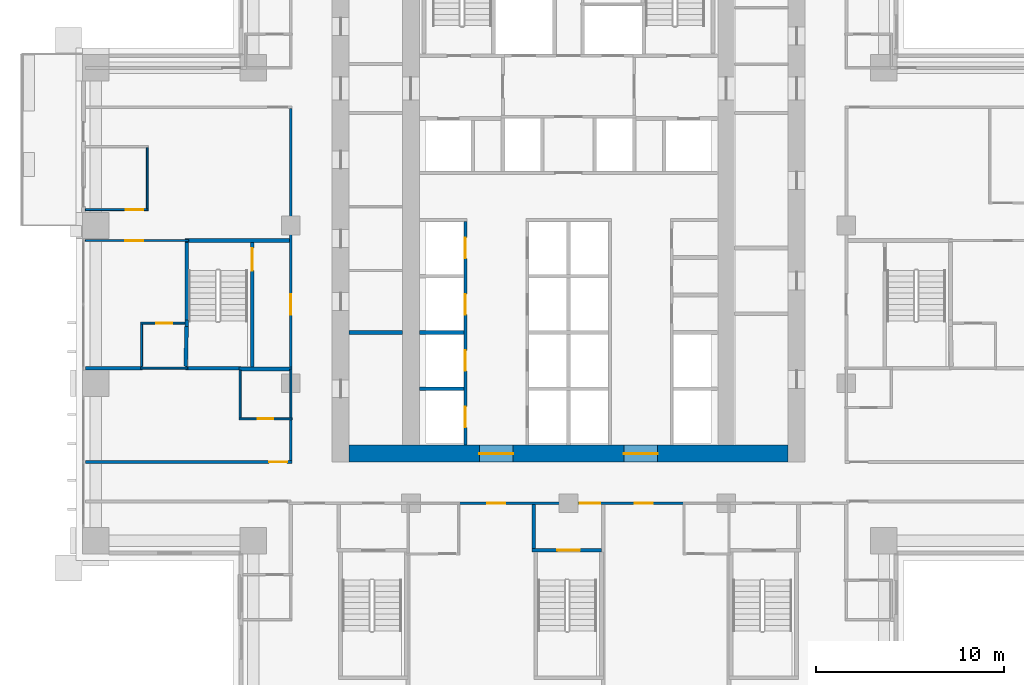
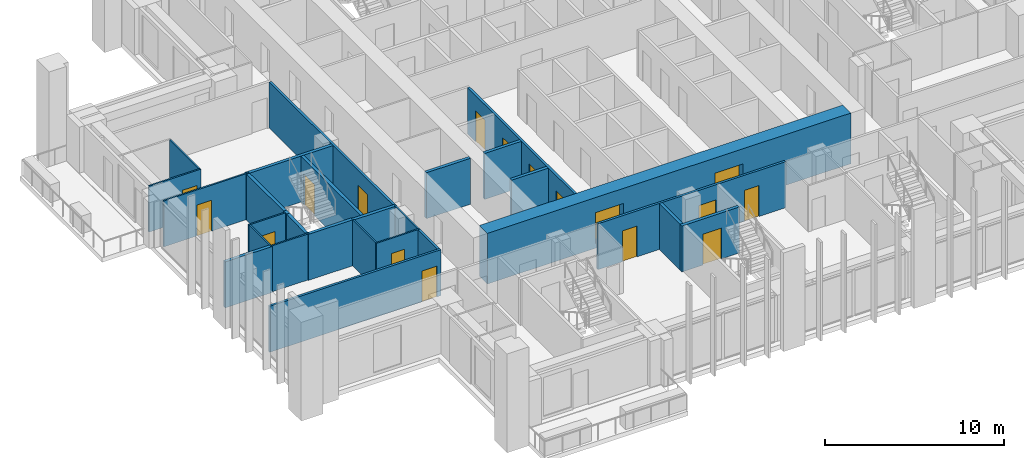
# One storey, part 7 of 17: 28 walls, 17 doors, 17 openings.
"""IFC4 building model written with IfcOpenShell, lengths in metres."""

from ifc_helpers import new_model, si_unit, direction, frame, frame_2d, origin, place, context, subcontext, project, spatial, rectangle, extrude, material, layer, layer_set, type_object, element, fill, save


model = new_model("IFC4")

# Units and contexts
model_context = context("Model", 3, precision=1e-05, world=origin(), true_north=direction((0.0, 1.0)))
body_context = subcontext(model_context, "Body", "Model", "MODEL_VIEW")
ifc_project = project(units=[si_unit("LENGTHUNIT", "METRE"), si_unit("AREAUNIT", "SQUARE_METRE"), si_unit("VOLUMEUNIT", "CUBIC_METRE"), si_unit("PLANEANGLEUNIT", "RADIAN"), si_unit("MASSUNIT", "GRAM", prefix="KILO")], contexts=[model_context])

# Site, building, storey
site_placement = place(None, origin())
site = spatial("IfcSite", under=ifc_project, at=site_placement, CompositionType="ELEMENT")
building_placement = place(site_placement, origin())
building = spatial("IfcBuilding", under=site, at=building_placement, Name="Vermilion Ogive Tower", CompositionType="ELEMENT")
storey_placement = place(building_placement, frame((0.0, 0.0, 69.0)))
storey = spatial("IfcBuildingStorey", under=building, at=storey_placement, Name="L16", CompositionType="ELEMENT", Elevation=69.0)

# Wall, openings, doors
ifc_material_1 = material(Name="Concrete B80", Category="concrete")
ifc_layer_1 = layer(ifc_material_1, 0.89990234375)
ifc_layer_set_1 = layer_set([ifc_layer_1], Name="Core wall 900 B80")
wall_type_1 = type_object("IfcWallType", Name="Core wall 900 B80", PredefinedType="SHEAR", material=ifc_layer_set_1)
wall_1_placement = place(storey_placement, frame((-11.699951171875, -7.949951171875, -0.320068359375), z_axis=(0.0, 0.0, 1.0), x_axis=(1.0, 0.0, 0.0)))
wall_1 = element("IfcWall", 1, at=wall_1_placement, inside=storey, type_object=wall_type_1, Name="L16-CORE-S", PredefinedType="SHEAR", context=body_context, shape_type="SweptSolid", body=[
    extrude(rectangle(XDim=23.39990234375, YDim=0.89990234375, at=frame_2d((11.699951171875, 0.0))), origin(), (0.0, 0.0, 1.0), 3.449951171875),
])
opening_1_placement = place(wall_1_placement, frame((6.949951171875, 0.0, 0.320068359375)))
opening_1 = element("IfcOpeningElement", 2, at=opening_1_placement, cuts=wall_1, Name="Opening DAH011", PredefinedType="OPENING", context=body_context, shape_type="SweptSolid", body=[
    extrude(rectangle(XDim=1.800048828125, YDim=2.10009765625, at=frame_2d((0.89990234375, 1.050048828125))), frame((0.0, 0.4599609375, 0.0), z_axis=(0.0, -1.0, 0.0), x_axis=(1.0, 0.0, 0.0)), (0.0, 0.0, 1.0), 0.919921875),
])
opening_2_placement = place(wall_1_placement, frame((14.64990234375, 0.0, 0.320068359375)))
opening_2 = element("IfcOpeningElement", 3, at=opening_2_placement, cuts=wall_1, Name="Opening DAH012", PredefinedType="OPENING", context=body_context, shape_type="SweptSolid", body=[
    extrude(rectangle(XDim=1.800048828125, YDim=2.10009765625, at=frame_2d((0.89990234375, 1.050048828125))), frame((0.0, 0.4599609375, 0.0), z_axis=(0.0, -1.0, 0.0), x_axis=(1.0, 0.0, 0.0)), (0.0, 0.0, 1.0), 0.919921875),
])
ifc_material_2 = material(Name="Timber door leaf", Category="wood")
door_type_1 = type_object("IfcDoorType", Name="Core entry door 1800 x 2100 FD60S", OperationType="DOUBLE_DOOR_SINGLE_SWING", PredefinedType="DOOR", material=ifc_material_2)
door_1_placement = place(opening_1_placement, origin())
door_1 = element("IfcDoor", 4, at=door_1_placement, inside=storey, type_object=door_type_1, Name="L16-CK-XD1", OperationType="SINGLE_SWING_LEFT", OverallHeight=2.10009765625, OverallWidth=1.800048828125, PredefinedType="DOOR", context=body_context, shape_type="SweptSolid", body=[
    extrude(rectangle(XDim=1.800048828125, YDim=2.10009765625, at=frame_2d((0.89990234375, 1.050048828125))), frame((0.0, 0.02490234375, 0.0), z_axis=(0.0, -1.0, 0.0), x_axis=(1.0, 0.0, 0.0)), (0.0, 0.0, 1.0), 0.050048828125),
])
fill(opening_1, door_1)
door_2_placement = place(opening_2_placement, origin())
door_2 = element("IfcDoor", 5, at=door_2_placement, inside=storey, type_object=door_type_1, Name="L16-CK-XD2", OperationType="SINGLE_SWING_LEFT", OverallHeight=2.10009765625, OverallWidth=1.800048828125, PredefinedType="DOOR", context=body_context, shape_type="SweptSolid", body=[
    extrude(rectangle(XDim=1.800048828125, YDim=2.10009765625, at=frame_2d((0.89990234375, 1.050048828125))), frame((0.0, 0.02490234375, 0.0), z_axis=(0.0, -1.0, 0.0), x_axis=(1.0, 0.0, 0.0)), (0.0, 0.0, 1.0), 0.050048828125),
])
fill(opening_2, door_2)

# Wall, opening, door
ifc_material_3 = material(Name="Gypsum board partition on steel studs", Category="steel")
ifc_layer_2 = layer(ifc_material_3, 0.10009765625)
ifc_layer_set_2 = layer_set([ifc_layer_2], Name="Partition 100 bath")
wall_type_2 = type_object("IfcWallType", Name="Partition 100 bath", PredefinedType="PARTITIONING", material=ifc_layer_set_2)
wall_2_placement = place(storey_placement, frame((-17.550048828125, -6.10009765625, 0.0), z_axis=(0.0, 0.0, 1.0), x_axis=(1.0, 0.0, 0.0)))
wall_2 = element("IfcWall", 6, at=wall_2_placement, inside=storey, type_object=wall_type_2, Name="L16-W-W023", PredefinedType="PARTITIONING", context=body_context, shape_type="SweptSolid", body=[
    extrude(rectangle(XDim=2.824951171875, YDim=0.10009765625, at=frame_2d((1.41259765625, 0.0))), origin(), (0.0, 0.0, 1.0), 3.1298828125),
])
opening_3_placement = place(wall_2_placement, frame((0.97509765625, 0.0, 0.0)))
opening_3 = element("IfcOpeningElement", 7, at=opening_3_placement, cuts=wall_2, Name="Opening D1G6004", PredefinedType="OPENING", context=body_context, shape_type="SweptSolid", body=[
    extrude(rectangle(XDim=0.85009765625, YDim=2.10009765625, at=frame_2d((0.425048828125, 1.050048828125))), frame((0.0, 0.06005859375, 0.0), z_axis=(0.0, -1.0, 0.0), x_axis=(1.0, 0.0, 0.0)), (0.0, 0.0, 1.0), 0.1201171875),
])
ifc_material_4 = material(Name="Timber door leaf", Category="wood")
door_type_2 = type_object("IfcDoorType", Name="Bath door 850 x 2100 FD30", OperationType="SINGLE_SWING_LEFT", PredefinedType="DOOR", material=ifc_material_4)
door_3_placement = place(opening_3_placement, origin())
door_3 = element("IfcDoor", 8, at=door_3_placement, inside=storey, type_object=door_type_2, Name="L16-D-D004", OperationType="SINGLE_SWING_LEFT", OverallHeight=2.10009765625, OverallWidth=0.85009765625, PredefinedType="DOOR", context=body_context, shape_type="SweptSolid", body=[
    extrude(rectangle(XDim=0.85009765625, YDim=2.10009765625, at=frame_2d((0.425048828125, 1.050048828125))), frame((0.0, 0.02490234375, 0.0), z_axis=(0.0, -1.0, 0.0), x_axis=(1.0, 0.0, 0.0)), (0.0, 0.0, 1.0), 0.050048828125),
])
fill(opening_3, door_3)

# Wall
wall_3_placement = place(storey_placement, frame((-22.800048828125, -3.39990234375, 0.0), z_axis=(0.0, 0.0, 1.0), x_axis=(1.0, 0.0, 0.0)))
element("IfcWall", 9, at=wall_3_placement, inside=storey, type_object=wall_type_2, Name="L16-W-W026", PredefinedType="PARTITIONING", context=body_context, shape_type="SweptSolid", body=[
    extrude(rectangle(XDim=2.5, YDim=0.10009765625, at=frame_2d((1.25, 0.0))), origin(), (0.0, 0.0, 1.0), 3.1298828125),
])

# Wall, opening, door
wall_4_placement = place(storey_placement, frame((-22.800048828125, -1.0, 0.0), z_axis=(0.0, 0.0, 1.0), x_axis=(1.0, 0.0, 0.0)))
wall_4 = element("IfcWall", 10, at=wall_4_placement, inside=storey, type_object=wall_type_2, Name="L16-W-W033", PredefinedType="PARTITIONING", context=body_context, shape_type="SweptSolid", body=[
    extrude(rectangle(XDim=2.35009765625, YDim=0.10009765625, at=frame_2d((1.175048828125, 0.0))), origin(), (0.0, 0.0, 1.0), 3.1298828125),
])
opening_4_placement = place(wall_4_placement, frame((0.824951171875, 0.0, 0.0)))
opening_4 = element("IfcOpeningElement", 11, at=opening_4_placement, cuts=wall_4, Name="Opening D1G6008", PredefinedType="OPENING", context=body_context, shape_type="SweptSolid", body=[
    extrude(rectangle(XDim=0.85009765625, YDim=2.10009765625, at=frame_2d((0.425048828125, 1.050048828125))), frame((0.0, 0.06005859375, 0.0), z_axis=(0.0, -1.0, 0.0), x_axis=(1.0, 0.0, 0.0)), (0.0, 0.0, 1.0), 0.1201171875),
])
door_4_placement = place(opening_4_placement, origin())
door_4 = element("IfcDoor", 12, at=door_4_placement, inside=storey, type_object=door_type_2, Name="L16-D-D008", OperationType="SINGLE_SWING_RIGHT", OverallHeight=2.10009765625, OverallWidth=0.85009765625, PredefinedType="DOOR", context=body_context, shape_type="SweptSolid", body=[
    extrude(rectangle(XDim=0.85009765625, YDim=2.10009765625, at=frame_2d((0.425048828125, 1.050048828125))), frame((0.0, 0.02490234375, 0.0), z_axis=(0.0, -1.0, 0.0), x_axis=(1.0, 0.0, 0.0)), (0.0, 0.0, 1.0), 0.050048828125),
])
fill(opening_4, door_4)

# Walls
wall_5_placement = place(storey_placement, frame((-22.75, -3.300048828125, 0.0), z_axis=(0.0, 0.0, 1.0), x_axis=(0.0, 1.0, 0.0)))
element("IfcWall", 13, at=wall_5_placement, inside=storey, type_object=wall_type_2, Name="L16-W-W050", PredefinedType="PARTITIONING", context=body_context, shape_type="SweptSolid", body=[
    extrude(rectangle(XDim=2.25, YDim=0.10009765625, at=frame_2d((1.125, 0.0))), origin(), (0.0, 0.0, 1.0), 3.1298828125),
])
wall_6_placement = place(storey_placement, frame((-17.5, -6.050048828125, 0.0), z_axis=(0.0, 0.0, 1.0), x_axis=(0.0, 1.0, 0.0)))
element("IfcWall", 14, at=wall_6_placement, inside=storey, type_object=wall_type_2, Name="L16-W-W055", PredefinedType="PARTITIONING", context=body_context, shape_type="SweptSolid", body=[
    extrude(rectangle(XDim=2.550048828125, YDim=0.10009765625, at=frame_2d((1.27490234375, 0.0))), origin(), (0.0, 0.0, 1.0), 3.1298828125),
])
wall_7_placement = place(storey_placement, frame((-14.800048828125, -6.050048828125, 0.0), z_axis=(0.0, 0.0, 1.0), x_axis=(0.0, 1.0, 0.0)))
element("IfcWall", 15, at=wall_7_placement, inside=storey, type_object=wall_type_2, Name="L16-W-W061", PredefinedType="PARTITIONING", context=body_context, shape_type="SweptSolid", body=[
    extrude(rectangle(XDim=2.60009765625, YDim=0.10009765625, at=frame_2d((1.300048828125, 0.0))), origin(), (0.0, 0.0, 1.0), 3.1298828125),
])

# Wall, opening, door
ifc_material_5 = material(Name="Gypsum board partition on steel studs", Category="steel")
ifc_layer_3 = layer(ifc_material_5, 0.10009765625)
ifc_layer_set_3 = layer_set([ifc_layer_3], Name="Partition 100 inner")
wall_type_3 = type_object("IfcWallType", Name="Partition 100 inner", PredefinedType="PARTITIONING", material=ifc_layer_set_3)
wall_8_placement = place(storey_placement, frame((-25.75, 3.39990234375, 0.0), z_axis=(0.0, 0.0, 1.0), x_axis=(1.0, 0.0, 0.0)))
wall_8 = element("IfcWall", 16, at=wall_8_placement, inside=storey, type_object=wall_type_3, Name="L16-W-W035", PredefinedType="PARTITIONING", context=body_context, shape_type="SweptSolid", body=[
    extrude(rectangle(XDim=5.5, YDim=0.10009765625, at=frame_2d((2.75, 0.0))), origin(), (0.0, 0.0, 1.0), 3.1298828125),
])
opening_5_placement = place(wall_8_placement, frame((2.125, 0.0, 0.0)))
opening_5 = element("IfcOpeningElement", 17, at=opening_5_placement, cuts=wall_8, Name="Opening D1G6007", PredefinedType="OPENING", context=body_context, shape_type="SweptSolid", body=[
    extrude(rectangle(XDim=0.949951171875, YDim=2.10009765625, at=frame_2d((0.47509765625, 1.050048828125))), frame((0.0, 0.06005859375, 0.0), z_axis=(0.0, -1.0, 0.0), x_axis=(1.0, 0.0, 0.0)), (0.0, 0.0, 1.0), 0.1201171875),
])
ifc_material_6 = material(Name="Timber door leaf", Category="wood")
door_type_3 = type_object("IfcDoorType", Name="Inner door 950 x 2100 FD30", OperationType="SINGLE_SWING_LEFT", PredefinedType="DOOR", material=ifc_material_6)
door_5_placement = place(opening_5_placement, origin())
door_5 = element("IfcDoor", 18, at=door_5_placement, inside=storey, type_object=door_type_3, Name="L16-D-D007", OperationType="SINGLE_SWING_LEFT", OverallHeight=2.10009765625, OverallWidth=0.949951171875, PredefinedType="DOOR", context=body_context, shape_type="SweptSolid", body=[
    extrude(rectangle(XDim=0.949951171875, YDim=2.10009765625, at=frame_2d((0.47509765625, 1.050048828125))), frame((0.0, 0.02490234375, 0.0), z_axis=(0.0, -1.0, 0.0), x_axis=(1.0, 0.0, 0.0)), (0.0, 0.0, 1.0), 0.050048828125),
])
fill(opening_5, door_5)

wall_9_placement = place(storey_placement, frame((-25.75, 5.0498046875, 0.0), z_axis=(0.0, 0.0, 1.0), x_axis=(1.0, 0.0, 0.0)))
wall_9 = element("IfcWall", 19, at=wall_9_placement, inside=storey, type_object=wall_type_3, Name="L16-W-W039", PredefinedType="PARTITIONING", context=body_context, shape_type="SweptSolid", body=[
    extrude(rectangle(XDim=3.35009765625, YDim=0.10009765625, at=frame_2d((1.675048828125, 0.0))), origin(), (0.0, 0.0, 1.0), 3.1298828125),
])
opening_6_placement = place(wall_9_placement, frame((2.14990234375, 0.0, 0.0)))
opening_6 = element("IfcOpeningElement", 20, at=opening_6_placement, cuts=wall_9, Name="Opening D1G6005", PredefinedType="OPENING", context=body_context, shape_type="SweptSolid", body=[
    extrude(rectangle(XDim=0.949951171875, YDim=2.10009765625, at=frame_2d((0.47509765625, 1.050048828125))), frame((0.0, 0.06005859375, 0.0), z_axis=(0.0, -1.0, 0.0), x_axis=(1.0, 0.0, 0.0)), (0.0, 0.0, 1.0), 0.1201171875),
])
door_6_placement = place(opening_6_placement, origin())
door_6 = element("IfcDoor", 21, at=door_6_placement, inside=storey, type_object=door_type_3, Name="L16-D-D005", OperationType="SINGLE_SWING_RIGHT", OverallHeight=2.10009765625, OverallWidth=0.949951171875, PredefinedType="DOOR", context=body_context, shape_type="SweptSolid", body=[
    extrude(rectangle(XDim=0.949951171875, YDim=2.10009765625, at=frame_2d((0.47509765625, 1.050048828125))), frame((0.0, 0.02490234375, 0.0), z_axis=(0.0, -1.0, 0.0), x_axis=(1.0, 0.0, 0.0)), (0.0, 0.0, 1.0), 0.050048828125),
])
fill(opening_6, door_6)

# Wall
wall_10_placement = place(storey_placement, frame((-22.449951171875, 5.099853515625, 0.0), z_axis=(0.0, 0.0, 1.0), x_axis=(0.0, 1.0, 0.0)))
element("IfcWall", 22, at=wall_10_placement, inside=storey, type_object=wall_type_3, Name="L16-W-W051", PredefinedType="PARTITIONING", context=body_context, shape_type="SweptSolid", body=[
    extrude(rectangle(XDim=3.250244140625, YDim=0.10009765625, at=frame_2d((1.625, 0.0))), origin(), (0.0, 0.0, 1.0), 3.1298828125),
])

# Wall, openings, doors
ifc_material_7 = material(Name="Gypsum board partition on steel studs", Category="steel")
ifc_layer_4 = layer(ifc_material_7, 0.14990234375)
ifc_layer_set_4 = layer_set([ifc_layer_4], Name="Partition 150 corridor")
wall_type_4 = type_object("IfcWallType", Name="Partition 150 corridor", PredefinedType="PARTITIONING", material=ifc_layer_set_4)
wall_11_placement = place(storey_placement, frame((-5.89990234375, -10.60009765625, 0.0), z_axis=(0.0, 0.0, 1.0), x_axis=(1.0, 0.0, 0.0)))
wall_11 = element("IfcWall", 23, at=wall_11_placement, inside=storey, type_object=wall_type_4, Name="L16-W-W016", PredefinedType="PARTITIONING", context=body_context, shape_type="SweptSolid", body=[
    extrude(rectangle(XDim=12.099853515625, YDim=0.14990234375, at=frame_2d((6.0498046875, 0.0))), origin(), (0.0, 0.0, 1.0), 3.1298828125),
])
opening_7_placement = place(wall_11_placement, frame((1.574951171875, 0.0, 0.0)))
opening_7 = element("IfcOpeningElement", 24, at=opening_7_placement, cuts=wall_11, Name="Opening D1G6011", PredefinedType="OPENING", context=body_context, shape_type="SweptSolid", body=[
    extrude(rectangle(XDim=0.949951171875, YDim=2.10009765625, at=frame_2d((0.47509765625, 1.050048828125))), frame((0.0, 0.0849609375, 0.0), z_axis=(0.0, -1.0, 0.0), x_axis=(1.0, 0.0, 0.0)), (0.0, 0.0, 1.0), 0.169921875),
])
opening_8_placement = place(wall_11_placement, frame((9.4248046875, 0.0, 0.0)))
opening_8 = element("IfcOpeningElement", 25, at=opening_8_placement, cuts=wall_11, Name="Opening D1G6013", PredefinedType="OPENING", context=body_context, shape_type="SweptSolid", body=[
    extrude(rectangle(XDim=0.949951171875, YDim=2.10009765625, at=frame_2d((0.47509765625, 1.050048828125))), frame((0.0, 0.0849609375, 0.0), z_axis=(0.0, -1.0, 0.0), x_axis=(1.0, 0.0, 0.0)), (0.0, 0.0, 1.0), 0.169921875),
])
opening_9_placement = place(wall_11_placement, frame((6.5, 0.0, 0.0)))
opening_9 = element("IfcOpeningElement", 26, at=opening_9_placement, cuts=wall_11, Name="Opening D1G6027", PredefinedType="OPENING", context=body_context, shape_type="SweptSolid", body=[
    extrude(rectangle(XDim=1.10009765625, YDim=2.10009765625, at=frame_2d((0.550048828125, 1.050048828125))), frame((0.0, 0.0849609375, 0.0), z_axis=(0.0, -1.0, 0.0), x_axis=(1.0, 0.0, 0.0)), (0.0, 0.0, 1.0), 0.169921875),
])
ifc_material_8 = material(Name="Timber door leaf", Category="wood")
door_type_4 = type_object("IfcDoorType", Name="Stair door 1100 x 2100 FD60S", OperationType="SINGLE_SWING_LEFT", PredefinedType="DOOR", material=ifc_material_8)
door_7_placement = place(opening_9_placement, origin())
door_7 = element("IfcDoor", 27, at=door_7_placement, inside=storey, type_object=door_type_4, Name="L16-D-D027", OperationType="SINGLE_SWING_LEFT", OverallHeight=2.10009765625, OverallWidth=1.10009765625, PredefinedType="DOOR", context=body_context, shape_type="SweptSolid", body=[
    extrude(rectangle(XDim=1.10009765625, YDim=2.10009765625, at=frame_2d((0.550048828125, 1.050048828125))), frame((0.0, 0.02490234375, 0.0), z_axis=(0.0, -1.0, 0.0), x_axis=(1.0, 0.0, 0.0)), (0.0, 0.0, 1.0), 0.050048828125),
])
fill(opening_9, door_7)
ifc_material_9 = material(Name="Timber door leaf", Category="wood")
door_type_5 = type_object("IfcDoorType", Name="Unit door 950 x 2100 FD30S", OperationType="SINGLE_SWING_LEFT", PredefinedType="DOOR", material=ifc_material_9)
door_8_placement = place(opening_7_placement, origin())
door_8 = element("IfcDoor", 28, at=door_8_placement, inside=storey, type_object=door_type_5, Name="L16-D-D011", OperationType="SINGLE_SWING_LEFT", OverallHeight=2.10009765625, OverallWidth=0.949951171875, PredefinedType="DOOR", context=body_context, shape_type="SweptSolid", body=[
    extrude(rectangle(XDim=0.949951171875, YDim=2.10009765625, at=frame_2d((0.47509765625, 1.050048828125))), frame((0.0, 0.02490234375, 0.0), z_axis=(0.0, -1.0, 0.0), x_axis=(1.0, 0.0, 0.0)), (0.0, 0.0, 1.0), 0.050048828125),
])
fill(opening_7, door_8)
door_9_placement = place(opening_8_placement, origin())
door_9 = element("IfcDoor", 29, at=door_9_placement, inside=storey, type_object=door_type_5, Name="L16-D-D013", OperationType="SINGLE_SWING_RIGHT", OverallHeight=2.10009765625, OverallWidth=0.949951171875, PredefinedType="DOOR", context=body_context, shape_type="SweptSolid", body=[
    extrude(rectangle(XDim=0.949951171875, YDim=2.10009765625, at=frame_2d((0.47509765625, 1.050048828125))), frame((0.0, 0.02490234375, 0.0), z_axis=(0.0, -1.0, 0.0), x_axis=(1.0, 0.0, 0.0)), (0.0, 0.0, 1.0), 0.050048828125),
])
fill(opening_8, door_9)

# Wall, opening, door
wall_12_placement = place(storey_placement, frame((-25.75, -8.39990234375, 0.0), z_axis=(0.0, 0.0, 1.0), x_axis=(1.0, 0.0, 0.0)))
wall_12 = element("IfcWall", 30, at=wall_12_placement, inside=storey, type_object=wall_type_4, Name="L16-W-W021", PredefinedType="PARTITIONING", context=body_context, shape_type="SweptSolid", body=[
    extrude(rectangle(XDim=11.02490234375, YDim=0.14990234375, at=frame_2d((5.512451171875, 0.0))), origin(), (0.0, 0.0, 1.0), 3.1298828125),
])
opening_10_placement = place(wall_12_placement, frame((9.800048828125, 0.0, 0.0)))
opening_10 = element("IfcOpeningElement", 31, at=opening_10_placement, cuts=wall_12, Name="Opening D1G6003", PredefinedType="OPENING", context=body_context, shape_type="SweptSolid", body=[
    extrude(rectangle(XDim=0.949951171875, YDim=2.10009765625, at=frame_2d((0.47509765625, 1.050048828125))), frame((0.0, 0.0849609375, 0.0), z_axis=(0.0, -1.0, 0.0), x_axis=(1.0, 0.0, 0.0)), (0.0, 0.0, 1.0), 0.169921875),
])
door_10_placement = place(opening_10_placement, origin())
door_10 = element("IfcDoor", 32, at=door_10_placement, inside=storey, type_object=door_type_5, Name="L16-D-D003", OperationType="SINGLE_SWING_LEFT", OverallHeight=2.10009765625, OverallWidth=0.949951171875, PredefinedType="DOOR", context=body_context, shape_type="SweptSolid", body=[
    extrude(rectangle(XDim=0.949951171875, YDim=2.10009765625, at=frame_2d((0.47509765625, 1.050048828125))), frame((0.0, 0.02490234375, 0.0), z_axis=(0.0, -1.0, 0.0), x_axis=(1.0, 0.0, 0.0)), (0.0, 0.0, 1.0), 0.050048828125),
])
fill(opening_10, door_10)

# Wall
wall_13_placement = place(storey_placement, frame((-14.800048828125, -8.324951171875, 0.0), z_axis=(0.0, 0.0, 1.0), x_axis=(0.0, 1.0, 0.0)))
element("IfcWall", 33, at=wall_13_placement, inside=storey, type_object=wall_type_4, Name="L16-W-W060", PredefinedType="PARTITIONING", context=body_context, shape_type="SweptSolid", body=[
    extrude(rectangle(XDim=2.175048828125, YDim=0.14990234375, at=frame_2d((1.08740234375, 0.0))), origin(), (0.0, 0.0, 1.0), 3.1298828125),
])

# Wall, opening, door
wall_14_placement = place(storey_placement, frame((-14.800048828125, -3.35009765625, 0.0), z_axis=(0.0, 0.0, 1.0), x_axis=(0.0, 1.0, 0.0)))
wall_14 = element("IfcWall", 34, at=wall_14_placement, inside=storey, type_object=wall_type_4, Name="L16-W-W062", PredefinedType="PARTITIONING", context=body_context, shape_type="SweptSolid", body=[
    extrude(rectangle(XDim=13.775146484375, YDim=0.14990234375, at=frame_2d((6.8876953125, 0.0))), origin(), (0.0, 0.0, 1.0), 3.1298828125),
])
opening_11_placement = place(wall_14_placement, frame((2.800048828125, 0.0, 0.0)))
opening_11 = element("IfcOpeningElement", 35, at=opening_11_placement, cuts=wall_14, Name="Opening D1G6033", PredefinedType="OPENING", context=body_context, shape_type="SweptSolid", body=[
    extrude(rectangle(XDim=1.10009765625, YDim=2.10009765625, at=frame_2d((0.550048828125, 1.050048828125))), frame((0.0, 0.0849609375, 0.0), z_axis=(0.0, -1.0, 0.0), x_axis=(1.0, 0.0, 0.0)), (0.0, 0.0, 1.0), 0.169921875),
])
door_11_placement = place(opening_11_placement, origin())
door_11 = element("IfcDoor", 36, at=door_11_placement, inside=storey, type_object=door_type_4, Name="L16-D-D033", OperationType="SINGLE_SWING_RIGHT", OverallHeight=2.10009765625, OverallWidth=1.10009765625, PredefinedType="DOOR", context=body_context, shape_type="SweptSolid", body=[
    extrude(rectangle(XDim=1.10009765625, YDim=2.10009765625, at=frame_2d((0.550048828125, 1.050048828125))), frame((0.0, 0.02490234375, 0.0), z_axis=(0.0, -1.0, 0.0), x_axis=(1.0, 0.0, 0.0)), (0.0, 0.0, 1.0), 0.050048828125),
])
fill(opening_11, door_11)

# Wall, openings, doors
wall_15_placement = place(storey_placement, frame((-5.5, -7.4990234375, 0.0), z_axis=(0.0, 0.0, 1.0), x_axis=(0.0, 1.0, 0.0)))
wall_15 = element("IfcWall", 37, at=wall_15_placement, inside=storey, type_object=wall_type_4, Name="L16-CK-W-W023", PredefinedType="PARTITIONING", context=body_context, shape_type="SweptSolid", body=[
    extrude(rectangle(XDim=11.924072265625, YDim=0.14990234375, at=frame_2d((5.9619140625, 0.0))), origin(), (0.0, 0.0, 1.0), 3.1298828125),
])
opening_12_placement = place(wall_15_placement, frame((0.948974609375, 0.0, 0.0)))
opening_12 = element("IfcOpeningElement", 38, at=opening_12_placement, cuts=wall_15, Name="Opening DAA126", PredefinedType="OPENING", context=body_context, shape_type="SweptSolid", body=[
    extrude(rectangle(XDim=1.10009765625, YDim=2.10009765625, at=frame_2d((0.550048828125, 1.050048828125))), frame((0.0, 0.0849609375, 0.0), z_axis=(0.0, -1.0, 0.0), x_axis=(1.0, 0.0, 0.0)), (0.0, 0.0, 1.0), 0.169921875),
])
opening_13_placement = place(wall_15_placement, frame((3.948974609375, 0.0, 0.0)))
opening_13 = element("IfcOpeningElement", 39, at=opening_13_placement, cuts=wall_15, Name="Opening DAA129", PredefinedType="OPENING", context=body_context, shape_type="SweptSolid", body=[
    extrude(rectangle(XDim=1.10009765625, YDim=2.10009765625, at=frame_2d((0.550048828125, 1.050048828125))), frame((0.0, 0.0849609375, 0.0), z_axis=(0.0, -1.0, 0.0), x_axis=(1.0, 0.0, 0.0)), (0.0, 0.0, 1.0), 0.169921875),
])
opening_14_placement = place(wall_15_placement, frame((6.948974609375, 0.0, 0.0)))
opening_14 = element("IfcOpeningElement", 40, at=opening_14_placement, cuts=wall_15, Name="Opening DAA130", PredefinedType="OPENING", context=body_context, shape_type="SweptSolid", body=[
    extrude(rectangle(XDim=1.10009765625, YDim=2.10009765625, at=frame_2d((0.550048828125, 1.050048828125))), frame((0.0, 0.0849609375, 0.0), z_axis=(0.0, -1.0, 0.0), x_axis=(1.0, 0.0, 0.0)), (0.0, 0.0, 1.0), 0.169921875),
])
opening_15_placement = place(wall_15_placement, frame((9.948974609375, 0.0, 0.0)))
opening_15 = element("IfcOpeningElement", 41, at=opening_15_placement, cuts=wall_15, Name="Opening DAA131", PredefinedType="OPENING", context=body_context, shape_type="SweptSolid", body=[
    extrude(rectangle(XDim=1.10009765625, YDim=2.10009765625, at=frame_2d((0.550048828125, 1.050048828125))), frame((0.0, 0.0849609375, 0.0), z_axis=(0.0, -1.0, 0.0), x_axis=(1.0, 0.0, 0.0)), (0.0, 0.0, 1.0), 0.169921875),
])
ifc_material_10 = material(Name="Stainless steel", Category="steel")
door_type_6 = type_object("IfcDoorType", Name="Lift landing door 1100 x 2100", OperationType="SLIDING_TO_LEFT", PredefinedType="DOOR", material=ifc_material_10)
door_12_placement = place(opening_12_placement, origin())
door_12 = element("IfcDoor", 42, at=door_12_placement, inside=storey, type_object=door_type_6, Name="L16-CK-D-D001", OperationType="SLIDING_TO_RIGHT", OverallHeight=2.10009765625, OverallWidth=1.10009765625, PredefinedType="DOOR", context=body_context, shape_type="SweptSolid", body=[
    extrude(rectangle(XDim=1.10009765625, YDim=2.10009765625, at=frame_2d((0.550048828125, 1.050048828125))), frame((0.0, 0.02490234375, 0.0), z_axis=(0.0, -1.0, 0.0), x_axis=(1.0, 0.0, 0.0)), (0.0, 0.0, 1.0), 0.050048828125),
])
fill(opening_12, door_12)
door_13_placement = place(opening_13_placement, origin())
door_13 = element("IfcDoor", 43, at=door_13_placement, inside=storey, type_object=door_type_6, Name="L16-CK-D-D002", OperationType="SLIDING_TO_RIGHT", OverallHeight=2.10009765625, OverallWidth=1.10009765625, PredefinedType="DOOR", context=body_context, shape_type="SweptSolid", body=[
    extrude(rectangle(XDim=1.10009765625, YDim=2.10009765625, at=frame_2d((0.550048828125, 1.050048828125))), frame((0.0, 0.02490234375, 0.0), z_axis=(0.0, -1.0, 0.0), x_axis=(1.0, 0.0, 0.0)), (0.0, 0.0, 1.0), 0.050048828125),
])
fill(opening_13, door_13)
door_14_placement = place(opening_14_placement, origin())
door_14 = element("IfcDoor", 44, at=door_14_placement, inside=storey, type_object=door_type_6, Name="L16-CK-D-D003", OperationType="SLIDING_TO_RIGHT", OverallHeight=2.10009765625, OverallWidth=1.10009765625, PredefinedType="DOOR", context=body_context, shape_type="SweptSolid", body=[
    extrude(rectangle(XDim=1.10009765625, YDim=2.10009765625, at=frame_2d((0.550048828125, 1.050048828125))), frame((0.0, 0.02490234375, 0.0), z_axis=(0.0, -1.0, 0.0), x_axis=(1.0, 0.0, 0.0)), (0.0, 0.0, 1.0), 0.050048828125),
])
fill(opening_14, door_14)
door_15_placement = place(opening_15_placement, origin())
door_15 = element("IfcDoor", 45, at=door_15_placement, inside=storey, type_object=door_type_6, Name="L16-CK-D-D004", OperationType="SLIDING_TO_RIGHT", OverallHeight=2.10009765625, OverallWidth=1.10009765625, PredefinedType="DOOR", context=body_context, shape_type="SweptSolid", body=[
    extrude(rectangle(XDim=1.10009765625, YDim=2.10009765625, at=frame_2d((0.550048828125, 1.050048828125))), frame((0.0, 0.02490234375, 0.0), z_axis=(0.0, -1.0, 0.0), x_axis=(1.0, 0.0, 0.0)), (0.0, 0.0, 1.0), 0.050048828125),
])
fill(opening_15, door_15)

# Walls
ifc_material_11 = material(Name="Gypsum board partition on steel studs", Category="steel")
ifc_layer_5 = layer(ifc_material_11, 0.199951171875)
ifc_layer_set_5 = layer_set([ifc_layer_5], Name="Partition 200 party")
wall_type_5 = type_object("IfcWallType", Name="Partition 200 party", PredefinedType="PARTITIONING", material=ifc_layer_set_5)
wall_16_placement = place(storey_placement, frame((-25.75, -3.39990234375, 0.0), z_axis=(0.0, 0.0, 1.0), x_axis=(1.0, 0.0, 0.0)))
element("IfcWall", 46, at=wall_16_placement, inside=storey, type_object=wall_type_5, Name="L16-W-W025", PredefinedType="PARTITIONING", context=body_context, shape_type="SweptSolid", body=[
    extrude(rectangle(XDim=3.050048828125, YDim=0.199951171875, at=frame_2d((1.52490234375, 0.0))), origin(), (0.0, 0.0, 1.0), 3.1298828125),
])
wall_17_placement = place(storey_placement, frame((-1.85009765625, -12.998046875, 0.0), z_axis=(0.0, 0.0, 1.0), x_axis=(0.0, 1.0, 0.0)))
element("IfcWall", 47, at=wall_17_placement, inside=storey, type_object=wall_type_5, Name="L16-W-W071", PredefinedType="PARTITIONING", context=body_context, shape_type="SweptSolid", body=[
    extrude(rectangle(XDim=2.322998046875, YDim=0.199951171875, at=frame_2d((1.16162109375, 0.0))), origin(), (0.0, 0.0, 1.0), 3.1298828125),
])
for number, where, z_axis, x_axis, name in (
    (48, (-7.948974609375, -4.5, 0.0), (0.0, 0.0, 1.0), (1.0, 0.0, 0.0), "L16-CK-W-W001"),
    (49, (-7.948974609375, -1.5, 0.0), (0.0, 0.0, 1.0), (1.0, 0.0, 0.0), "L16-CK-W-W004"),
):
    element("IfcWall", number, at=place(storey_placement, frame(where, z_axis=z_axis, x_axis=x_axis)), inside=storey, type_object=wall_type_5, Name=name, PredefinedType="PARTITIONING", context=body_context, shape_type="SweptSolid", body=[
        extrude(rectangle(XDim=2.3740234375, YDim=0.199951171875, at=frame_2d((1.18701171875, 0.0))), origin(), (0.0, 0.0, 1.0), 3.1298828125),
    ])
wall_18_placement = place(storey_placement, frame((-11.698974609375, -1.5, 0.0), z_axis=(0.0, 0.0, 1.0), x_axis=(1.0, 0.0, 0.0)))
element("IfcWall", 50, at=wall_18_placement, inside=storey, type_object=wall_type_5, Name="L16-CKW-W-W001", PredefinedType="PARTITIONING", context=body_context, shape_type="SweptSolid", body=[
    extrude(rectangle(XDim=2.847900390625, YDim=0.199951171875, at=frame_2d((1.423828125, 0.0))), origin(), (0.0, 0.0, 1.0), 3.1298828125),
])

# Wall, opening, door
ifc_material_12 = material(Name="Concrete B60", Category="concrete")
ifc_layer_6 = layer(ifc_material_12, 0.199951171875)
ifc_layer_set_6 = layer_set([ifc_layer_6], Name="Stair shaft wall 200 Concrete B60")
wall_type_6 = type_object("IfcWallType", Name="Stair shaft wall 200 Concrete B60", PredefinedType="SOLIDWALL", material=ifc_layer_set_6)
wall_19_placement = place(storey_placement, frame((-1.947998046875, -13.10009765625, 0.0), z_axis=(0.0, 0.0, 1.0), x_axis=(1.0, 0.0, 0.0)))
wall_19 = element("IfcWall", 51, at=wall_19_placement, inside=storey, type_object=wall_type_6, Name="L16-W-W012", PredefinedType="SOLIDWALL", context=body_context, shape_type="SweptSolid", body=[
    extrude(rectangle(XDim=3.696044921875, YDim=0.199951171875, at=frame_2d((1.84814453125, 0.0))), origin(), (0.0, 0.0, 1.0), 3.1298828125),
])
opening_16_placement = place(wall_19_placement, frame((1.347900390625, 0.0, 0.0)))
opening_16 = element("IfcOpeningElement", 52, at=opening_16_placement, cuts=wall_19, Name="Opening D1G6028", PredefinedType="OPENING", context=body_context, shape_type="SweptSolid", body=[
    extrude(rectangle(XDim=1.199951171875, YDim=2.10009765625, at=frame_2d((0.60009765625, 1.050048828125))), frame((0.0, 0.10986328125, 0.0), z_axis=(0.0, -1.0, 0.0), x_axis=(1.0, 0.0, 0.0)), (0.0, 0.0, 1.0), 0.219970703125),
])
ifc_material_13 = material(Name="Timber door leaf", Category="wood")
door_type_7 = type_object("IfcDoorType", Name="Stair door 1200 x 2100 FD60S", OperationType="SINGLE_SWING_LEFT", PredefinedType="DOOR", material=ifc_material_13)
door_16_placement = place(opening_16_placement, origin())
door_16 = element("IfcDoor", 53, at=door_16_placement, inside=storey, type_object=door_type_7, Name="L16-D-D028", OperationType="SINGLE_SWING_RIGHT", OverallHeight=2.10009765625, OverallWidth=1.199951171875, PredefinedType="DOOR", context=body_context, shape_type="SweptSolid", body=[
    extrude(rectangle(XDim=1.199951171875, YDim=2.10009765625, at=frame_2d((0.60009765625, 1.050048828125))), frame((0.0, 0.02490234375, 0.0), z_axis=(0.0, -1.0, 0.0), x_axis=(1.0, 0.0, 0.0)), (0.0, 0.0, 1.0), 0.050048828125),
])
fill(opening_16, door_16)

# Walls
wall_20_placement = place(storey_placement, frame((-20.39990234375, -3.39990234375, 0.0), z_axis=(0.0, 0.0, 1.0), x_axis=(1.0, 0.0, 0.0)))
element("IfcWall", 54, at=wall_20_placement, inside=storey, type_object=wall_type_6, Name="L16-W-W027", PredefinedType="SOLIDWALL", context=body_context, shape_type="SweptSolid", body=[
    extrude(rectangle(XDim=2.949951171875, YDim=0.199951171875, at=frame_2d((1.47509765625, 0.0))), origin(), (0.0, 0.0, 1.0), 3.1298828125),
])
wall_21_placement = place(storey_placement, frame((-17.550048828125, -3.449951171875, 0.0), z_axis=(0.0, 0.0, 1.0), x_axis=(1.0, 0.0, 0.0)))
element("IfcWall", 55, at=wall_21_placement, inside=storey, type_object=wall_type_6, Name="L16-W-W028", PredefinedType="SOLIDWALL", context=body_context, shape_type="SweptSolid", body=[
    extrude(rectangle(XDim=2.824951171875, YDim=0.199951171875, at=frame_2d((1.41259765625, 0.0))), origin(), (0.0, 0.0, 1.0), 3.1298828125),
])
wall_22_placement = place(storey_placement, frame((-20.449951171875, 3.39990234375, 0.0), z_axis=(0.0, 0.0, 1.0), x_axis=(1.0, 0.0, 0.0)))
element("IfcWall", 56, at=wall_22_placement, inside=storey, type_object=wall_type_6, Name="L16-W-W036", PredefinedType="SOLIDWALL", context=body_context, shape_type="SweptSolid", body=[
    extrude(rectangle(XDim=5.574951171875, YDim=0.199951171875, at=frame_2d((2.78759765625, 0.0))), origin(), (0.0, 0.0, 1.0), 3.1298828125),
])
wall_23_placement = place(storey_placement, frame((-20.400146484375, -3.300048828125, 0.0), z_axis=(0.0, 0.0, 1.0), x_axis=(0.022687568549, 0.99974260399, 0.0)))
element("IfcWall", 57, at=wall_23_placement, inside=storey, type_object=wall_type_6, Name="L16-W-W052", PredefinedType="SOLIDWALL", context=body_context, shape_type="SweptSolid", body=[
    extrude(rectangle(XDim=2.130615234375, YDim=0.199951171875, at=frame_2d((1.0654296875, 0.0))), origin(), (0.0, 0.0, 1.0), 3.1298828125),
])
wall_24_placement = place(storey_placement, frame((-20.35009765625, -0.830078125, 0.0), z_axis=(0.0, 0.0, 1.0), x_axis=(0.0, 1.0, 0.0)))
element("IfcWall", 58, at=wall_24_placement, inside=storey, type_object=wall_type_6, Name="L16-W-W053", PredefinedType="SOLIDWALL", context=body_context, shape_type="SweptSolid", body=[
    extrude(rectangle(XDim=4.130126953125, YDim=0.199951171875, at=frame_2d((2.06494140625, 0.0))), origin(), (0.0, 0.0, 1.0), 3.1298828125),
])

# Wall, opening, door
wall_25_placement = place(storey_placement, frame((-16.85009765625, -3.35009765625, 0.0), z_axis=(0.0, 0.0, 1.0), x_axis=(0.0, 1.0, 0.0)))
wall_25 = element("IfcWall", 59, at=wall_25_placement, inside=storey, type_object=wall_type_6, Name="L16-W-W057", PredefinedType="SOLIDWALL", context=body_context, shape_type="SweptSolid", body=[
    extrude(rectangle(XDim=6.650146484375, YDim=0.199951171875, at=frame_2d((3.3251953125, 0.0))), origin(), (0.0, 0.0, 1.0), 3.1298828125),
])
opening_17_placement = place(wall_25_placement, frame((5.14990234375, 0.0, 0.0)))
opening_17 = element("IfcOpeningElement", 60, at=opening_17_placement, cuts=wall_25, Name="Opening D1G6034", PredefinedType="OPENING", context=body_context, shape_type="SweptSolid", body=[
    extrude(rectangle(XDim=1.199951171875, YDim=2.10009765625, at=frame_2d((0.60009765625, 1.050048828125))), frame((0.0, 0.10986328125, 0.0), z_axis=(0.0, -1.0, 0.0), x_axis=(1.0, 0.0, 0.0)), (0.0, 0.0, 1.0), 0.219970703125),
])
door_17_placement = place(opening_17_placement, origin())
door_17 = element("IfcDoor", 61, at=door_17_placement, inside=storey, type_object=door_type_7, Name="L16-D-D034", OperationType="SINGLE_SWING_RIGHT", OverallHeight=2.10009765625, OverallWidth=1.199951171875, PredefinedType="DOOR", context=body_context, shape_type="SweptSolid", body=[
    extrude(rectangle(XDim=1.199951171875, YDim=2.10009765625, at=frame_2d((0.60009765625, 1.050048828125))), frame((0.0, 0.02490234375, 0.0), z_axis=(0.0, -1.0, 0.0), x_axis=(1.0, 0.0, 0.0)), (0.0, 0.0, 1.0), 0.050048828125),
])
fill(opening_17, door_17)

# Wall
wall_26_placement = place(storey_placement, frame((-20.35009765625, -1.169921875, 0.0), z_axis=(0.0, 0.0, 1.0), x_axis=(0.0, 1.0, 0.0)))
element("IfcWall", 62, at=wall_26_placement, inside=storey, type_object=wall_type_6, Name="L16-SW-ST9-W1", PredefinedType="SOLIDWALL", context=body_context, shape_type="SweptSolid", body=[
    extrude(rectangle(XDim=0.33984375, YDim=0.199951171875, at=frame_2d((0.169921875, 0.0))), origin(), (0.0, 0.0, 1.0), 3.1298828125),
])

save(model, "model.ifc")
